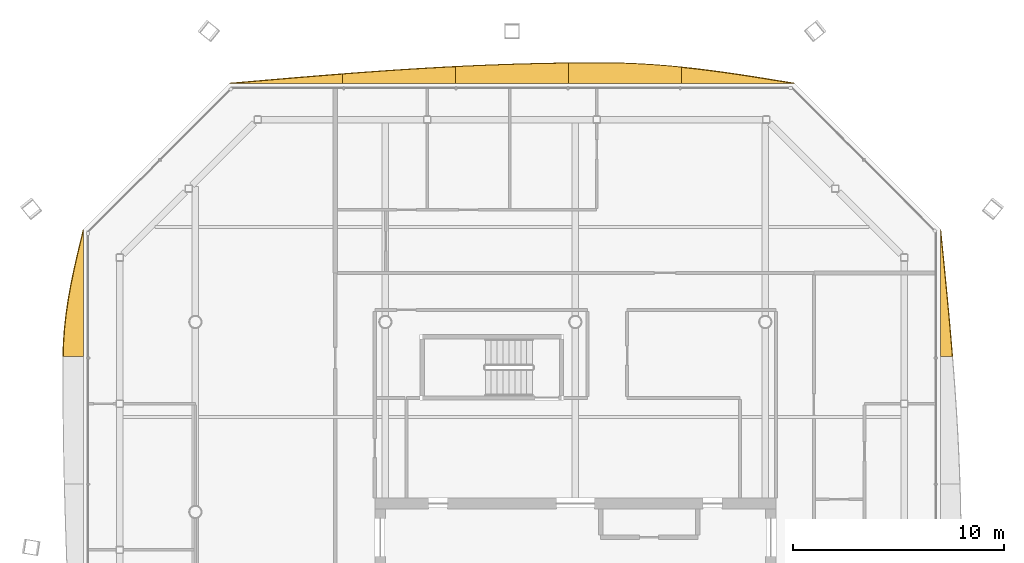
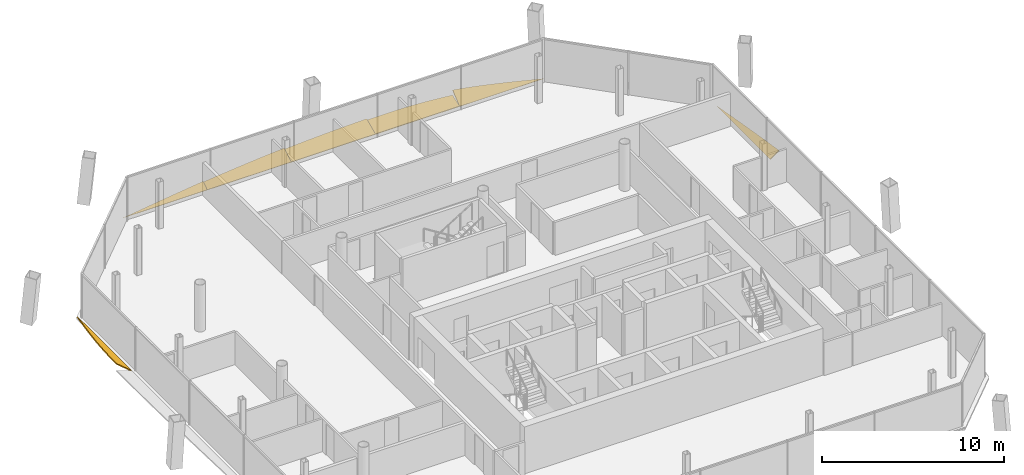
# One storey, part 20 of 20: 7 shading devices.
"""IFC4 building model written with IfcOpenShell, lengths in metres."""

from ifc_helpers import new_model, si_unit, direction, frame, origin, place, context, subcontext, project, spatial, polyline, outline, extrude, material, layer, layer_set, type_object, element, save


model = new_model("IFC4")

# Units and contexts
model_context = context("Model", 3, precision=1e-05, world=origin(), true_north=direction((0.0, 1.0)))
body_context = subcontext(model_context, "Body", "Model", "MODEL_VIEW")
ifc_project = project(units=[si_unit("LENGTHUNIT", "METRE"), si_unit("AREAUNIT", "SQUARE_METRE"), si_unit("VOLUMEUNIT", "CUBIC_METRE"), si_unit("PLANEANGLEUNIT", "RADIAN"), si_unit("MASSUNIT", "GRAM", prefix="KILO")], contexts=[model_context])

# Site, building, storey
site_placement = place(None, origin())
site = spatial("IfcSite", under=ifc_project, at=site_placement, CompositionType="ELEMENT")
building_placement = place(site_placement, origin())
building = spatial("IfcBuilding", under=site, at=building_placement, Name="Tskaro Facet Tower", CompositionType="ELEMENT")
storey_placement = place(building_placement, frame((0.0, 0.0, 197.39990234375)))
storey = spatial("IfcBuildingStorey", under=building, at=storey_placement, Name="L50", CompositionType="ELEMENT", Elevation=197.39990234375)

# Shading devices
ifc_material = material(Name="Bronze anodised aluminium 6063-T6", Category="aluminium")
ifc_layer = layer(ifc_material, 0.06005859375, Name="Bronze anodised aluminium 6063-T6")
ifc_layer_set = layer_set([ifc_layer], Name="Bronze anodised aluminium 6063-T6")
shading_device_type = type_object("IfcShadingDeviceType", Name="Bronze sun blade (FN1)", PredefinedType="USERDEFINED", material=ifc_layer_set)
shading_device_1_placement = place(storey_placement, frame((17.295654296875, 7.354736328125, 0.04931640625), z_axis=(-0.573457223901, 1.476043e-06, 0.819235504818), x_axis=(8.46448e-07, 0.999999999999, -1.209227e-06)))
element("IfcShadingDevice", 1, at=shading_device_1_placement, inside=storey, type_object=shading_device_type, Name="Fin blade east 5", ObjectType="FIN", PredefinedType="USERDEFINED", context=body_context, shape_type="SweptSolid", body=[
    extrude(outline(polyline([(0.0, 0.0), (6.019287109368443, 0.0), (5.350341796897943, -0.08134316957534932), (4.681640625052443, -0.16268633915069863), (4.012939453177429, -0.24314947431143408), (3.343994140736471, -0.322392562184333), (2.675292968772916, -0.40021559410122676), (2.0063476562139013, -0.4759385443156702), (1.3376464843094287, -0.5495614128276631), (0.6689453123164142, -0.6205441780958145), (-6.351050447862475e-12, -0.6884068230418476), (0.0, 0.0)])), origin(), (0.0, 0.0, -1.0), 0.06005859375),
])
shading_device_2_placement = place(storey_placement, frame((10.3740234375, 20.29150390625, 0.046142578125), z_axis=(-6.676631e-06, -0.642777078927, 0.766053279323), x_axis=(-0.999999999978, 4.291585e-06, -5.114655e-06)))
element("IfcShadingDevice", 2, at=shading_device_2_placement, inside=storey, type_object=shading_device_type, Name="Fin blade north 1", ObjectType="FIN", PredefinedType="USERDEFINED", context=body_context, shape_type="SweptSolid", body=[
    extrude(outline(polyline([(0.0, 0.0), (5.349609374880764, 0.0), (5.3496093751511244, -1.0016378452475776), (4.680908203034256, -0.9070164300570533), (4.012207030860172, -0.8006103320582373), (3.3435058590737907, -0.6836384341501002), (2.674804687718137, -0.5580075246799924), (2.0061035149416813, -0.42490638981827167), (1.337402344131647, -0.28645893936730266), (0.6687011721878092, -0.14401088749523158), (0.0, 0.0)])), origin(), (0.0, 0.0, -1.0), 0.06005859375),
])
shading_device_3_placement = place(storey_placement, frame((5.0244140625, 20.3095703125, 0.056396484375), z_axis=(1.0546884e-05, -0.342167122709, 0.939639111588), x_axis=(-0.999999999944, -3.608797e-06, 9.910265e-06)))
element("IfcShadingDevice", 3, at=shading_device_3_placement, inside=storey, type_object=shading_device_type, Name="Fin blade north 2", ObjectType="FIN", PredefinedType="USERDEFINED", context=body_context, shape_type="SweptSolid", body=[
    extrude(outline(polyline([(0.0, 0.0), (5.349609374702464, 2.2656476977827428e-21), (5.349609374896147, -1.0224134255794757), (4.680908202807474, -1.0289003596360082), (4.012207030956065, -1.0317579520966906), (3.8518066403399875, -1.0317579520966906), (3.3435058578170778, -1.0278156695256526), (2.674804687599317, -1.0109830557367465), (2.006103516344841, -0.9808636328595878), (1.3374023438299867, -0.9382291500293441), (0.6687011724742518, -0.8831631441412131), (-1.2465794290888579e-09, -0.8165832315151555), (0.0, 0.0)])), origin(), (0.0, 0.0, -1.0), 0.06005859375),
])
shading_device_4_placement = place(storey_placement, frame((-0.3251953125, 20.3046875, 0.054443359375), z_axis=(1.8494071e-05, -0.422663536959, 0.90628667329), x_axis=(-0.999999999829, -7.81677e-06, 1.676093e-05)))
element("IfcShadingDevice", 4, at=shading_device_4_placement, inside=storey, type_object=shading_device_type, Name="Fin blade north 3", ObjectType="FIN", PredefinedType="USERDEFINED", context=body_context, shape_type="SweptSolid", body=[
    extrude(outline(polyline([(0.0, 0.0), (5.3496093740851345, 9.062590791130971e-21), (5.349609375047503, -0.8749888608281529), (4.6809082029011035, -0.910268653303792), (4.012207029103252, -0.9422741730002492), (3.343505859654364, -0.970887347862736), (2.6748046863703903, -0.9959017992110614), (2.00610351743538, -1.0175239057254164), (1.3374023446652843, -1.0355472887256096), (0.6687011699684952, -1.0497506868167574), (-2.5629639464155274e-09, -1.0602372893389553), (0.0, 0.0)])), origin(), (0.0, 0.0, -1.0), 0.06005859375),
])
shading_device_5_placement = place(storey_placement, frame((-5.6748046875, 20.300048828125, 0.052001953125), z_axis=(-7.078081e-06, -0.500063994936, 0.865988453109), x_axis=(-0.999999999975, 3.539494e-06, -6.129537e-06)))
element("IfcShadingDevice", 5, at=shading_device_5_placement, inside=storey, type_object=shading_device_type, Name="Fin blade north 4", ObjectType="FIN", PredefinedType="USERDEFINED", context=body_context, shape_type="SweptSolid", body=[
    extrude(outline(polyline([(0.0, 0.0), (5.349609374865995, 2.2656476977827428e-21), (5.349609374463905, -0.515948855441947), (4.6809082019051615, -0.57436372096732), (4.012207031643959, -0.6308996190382185), (3.3435058595914224, -0.6850443667043384), (2.674804688108158, -0.7368873009916033), (2.0061035154658957, -0.7860055759756328), (1.3374023431611053, -0.8322771057201602), (0.6687011726902555, -0.8755798042889189), (-6.678599706656987e-10, -0.9157349976300617), (0.0, 0.0)])), origin(), (0.0, 0.0, -1.0), 0.06005859375),
])
shading_device_6_placement = place(storey_placement, frame((-11.0244140625, 20.295654296875, 0.04931640625), z_axis=(-4.470587e-06, -0.573425491405, 0.819257716343), x_axis=(-0.99999999999, 2.563549e-06, -3.662563e-06)))
element("IfcShadingDevice", 6, at=shading_device_6_placement, inside=storey, type_object=shading_device_type, Name="Fin blade north 5", ObjectType="FIN", PredefinedType="USERDEFINED", context=body_context, shape_type="SweptSolid", body=[
    extrude(outline(polyline([(0.0, 0.0), (5.349609374946541, 2.2656476977827428e-21), (4.680908202974603, -0.07064275155012839), (4.012207031002662, -0.14128550310025678), (3.343505859567351, -0.21124823355284533), (2.674804687774487, -0.28067093936575804), (2.0061035152665188, -0.349013595899319), (1.337402343831807, -0.4159962102378003), (0.6687011719503042, -0.48155876474815995), (-1.0967494048667562e-10, -0.5453612488816281), (0.0, 0.0)])), origin(), (0.0, 0.0, -1.0), 0.06005859375),
])
shading_device_7_placement = place(storey_placement, frame((-23.29150390625, 13.3740234375, 0.046142578125), z_axis=(0.642776444957, 1.1432025e-05, 0.766053811216), x_axis=(7.348236e-06, -0.999999999935, 8.757546e-06)))
element("IfcShadingDevice", 7, at=shading_device_7_placement, inside=storey, type_object=shading_device_type, Name="Fin blade west 1", ObjectType="FIN", PredefinedType="USERDEFINED", context=body_context, shape_type="SweptSolid", body=[
    extrude(outline(polyline([(0.0, 0.0), (6.019287108981666, 0.0), (6.019287109816126, -1.264340394211923), (5.350341797014716, -1.2362695464772324), (4.681640625475921, -1.173188602995687), (4.012939451674893, -1.076159518878386), (3.343994140221346, -0.9484347962618961), (2.675292967941797, -0.7935141561655483), (2.006347656265181, -0.6160560085362918), (1.3376464830502237, -0.4205919324913075), (0.6689453138651956, -0.213313076617695), (0.0, 0.0)])), origin(), (0.0, 0.0, -1.0), 0.06005859375),
])

save(model, "model.ifc")
